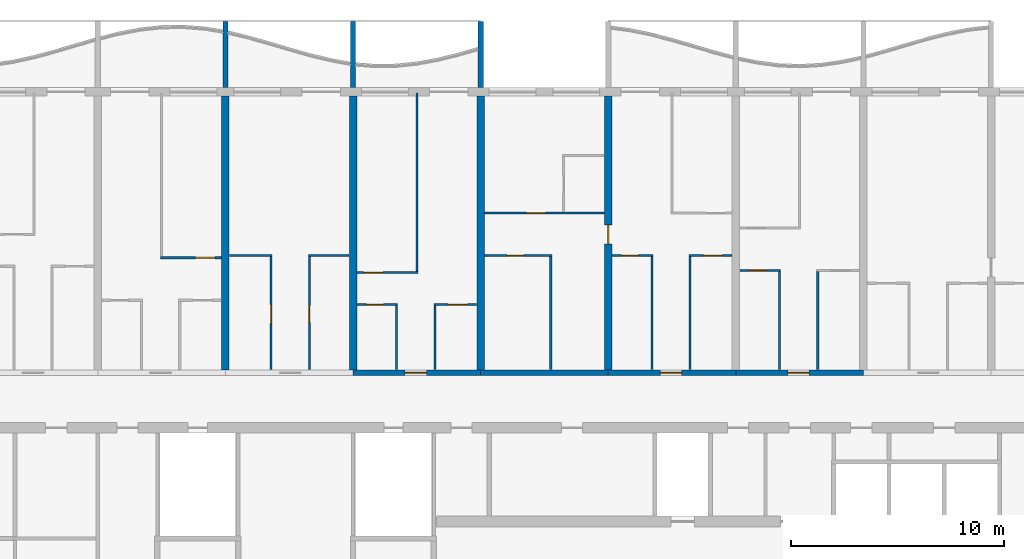
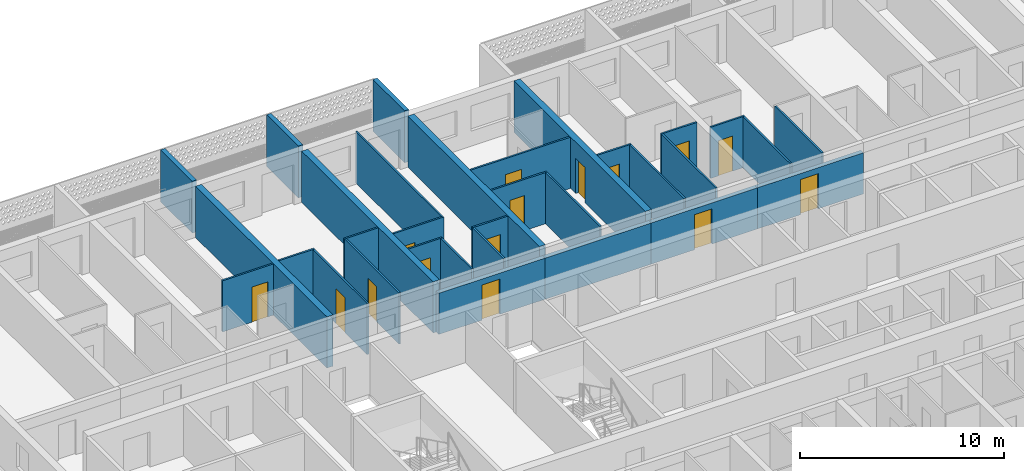
# One storey, part 10 of 27: 32 walls, 15 doors, 15 openings.
"""IFC4 building model written with IfcOpenShell, lengths in metres."""

from ifc_helpers import new_model, si_unit, direction, frame, frame_2d, origin, place, context, subcontext, project, spatial, polyline, rectangle, outline, extrude, source, transform, mapped, material, layer, layer_set, type_object, element, fill, save


model = new_model("IFC4")

# Units and contexts
model_context = context("Model", 3, precision=1e-05, world=origin(), true_north=direction((0.0, 1.0)))
body_context = subcontext(model_context, "Body", "Model", "MODEL_VIEW")
ifc_project = project(units=[si_unit("LENGTHUNIT", "METRE"), si_unit("AREAUNIT", "SQUARE_METRE"), si_unit("VOLUMEUNIT", "CUBIC_METRE"), si_unit("PLANEANGLEUNIT", "RADIAN"), si_unit("MASSUNIT", "GRAM", prefix="KILO")], contexts=[model_context])

# Site, building, storey
site_placement = place(None, origin())
site = spatial("IfcSite", under=ifc_project, at=site_placement, CompositionType="ELEMENT")
building_placement = place(site_placement, origin())
building = spatial("IfcBuilding", under=site, at=building_placement, Name="Poui Terraces", CompositionType="ELEMENT")
storey_placement = place(building_placement, frame((0.0, 0.0, 76.199951171875)))
storey = spatial("IfcBuildingStorey", under=building, at=storey_placement, Name="L20", CompositionType="ELEMENT", Elevation=76.199951171875)

# Wall, opening, door
ifc_material_1 = material(Name="Concrete 65 MPa", Category="concrete")
ifc_layer_1 = layer(ifc_material_1, 0.25)
ifc_layer_set_1 = layer_set([ifc_layer_1], Name="Concrete 65 MPa")
wall_type_1 = type_object("IfcWallType", Name="CORRIDOR WALL 250 65MPa", PredefinedType="SHEAR", material=ifc_layer_set_1)
wall_1_placement = place(storey_placement, frame((30.0, 30.39990234375, 0.0), z_axis=(0.0, 0.0, 1.0), x_axis=(1.0, 0.0, 0.0)))
wall_1 = element("IfcWall", 1, at=wall_1_placement, inside=storey, type_object=wall_type_1, Name="CORRIDOR WALL LINE E BAY 5", PredefinedType="SHEAR", context=body_context, shape_type="SweptSolid", body=[
    extrude(rectangle(XDim=6.0, YDim=0.25, at=frame_2d((3.0, 0.0))), origin(), (0.0, 0.0, 1.0), 2.4599609375),
])
opening_1_placement = place(wall_1_placement, frame((2.449951171875, 0.0, 0.0)))
opening_1 = element("IfcOpeningElement", 2, at=opening_1_placement, cuts=wall_1, Name="Opening FD30S", PredefinedType="OPENING", context=body_context, shape_type="SweptSolid", body=[
    extrude(rectangle(XDim=1.0, YDim=2.10009765625, at=frame_2d((0.5, 1.050048828125))), frame((0.0, 0.135009765625, 0.0), z_axis=(0.0, -1.0, 0.0), x_axis=(1.0, 0.0, 0.0)), (0.0, 0.0, 1.0), 0.27001953125),
])
ifc_material_2 = material(Name="Steel fire door", Category="steel")
door_type_1 = type_object("IfcDoorType", Name="FLAT ENTRANCE DOOR 1000 X 2100", OperationType="NOTDEFINED", PredefinedType="DOOR", material=ifc_material_2)
door_1_placement = place(opening_1_placement, origin())
door_1 = element("IfcDoor", 3, at=door_1_placement, inside=storey, type_object=door_type_1, Name="FLAT ENTRANCE DOOR 047", OperationType="SINGLE_SWING_LEFT", OverallHeight=2.10009765625, OverallWidth=1.0, PredefinedType="DOOR", context=body_context, shape_type="SweptSolid", body=[
    extrude(rectangle(XDim=1.0, YDim=2.10009765625, at=frame_2d((0.5, 1.050048828125))), frame((0.0, 0.02490234375, 0.0), z_axis=(0.0, -1.0, 0.0), x_axis=(1.0, 0.0, 0.0)), (0.0, 0.0, 1.0), 0.050048828125),
])
fill(opening_1, door_1)

# Wall
wall_2_placement = place(storey_placement, frame((36.0, 30.39990234375, 0.0), z_axis=(0.0, 0.0, 1.0), x_axis=(1.0, 0.0, 0.0)))
element("IfcWall", 4, at=wall_2_placement, inside=storey, type_object=wall_type_1, Name="CORRIDOR WALL LINE E BAY 6", PredefinedType="SHEAR", context=body_context, shape_type="SweptSolid", body=[
    extrude(rectangle(XDim=6.0, YDim=0.25, at=frame_2d((3.0, 0.0))), origin(), (0.0, 0.0, 1.0), 2.4599609375),
])

# Wall, opening, door
wall_3_placement = place(storey_placement, frame((42.0, 30.39990234375, 0.0), z_axis=(0.0, 0.0, 1.0), x_axis=(1.0, 0.0, 0.0)))
wall_3 = element("IfcWall", 5, at=wall_3_placement, inside=storey, type_object=wall_type_1, Name="CORRIDOR WALL LINE E BAY 7", PredefinedType="SHEAR", context=body_context, shape_type="SweptSolid", body=[
    extrude(rectangle(XDim=6.0, YDim=0.25, at=frame_2d((3.0, 0.0))), origin(), (0.0, 0.0, 1.0), 2.4599609375),
])
opening_2_placement = place(wall_3_placement, frame((2.449951171875, 0.0, 0.0)))
opening_2 = element("IfcOpeningElement", 6, at=opening_2_placement, cuts=wall_3, Name="Opening FD30S", PredefinedType="OPENING", context=body_context, shape_type="SweptSolid", body=[
    extrude(rectangle(XDim=1.0, YDim=2.10009765625, at=frame_2d((0.5, 1.050048828125))), frame((0.0, 0.135009765625, 0.0), z_axis=(0.0, -1.0, 0.0), x_axis=(1.0, 0.0, 0.0)), (0.0, 0.0, 1.0), 0.27001953125),
])
door_2_placement = place(opening_2_placement, origin())
door_2 = element("IfcDoor", 7, at=door_2_placement, inside=storey, type_object=door_type_1, Name="FLAT ENTRANCE DOOR 053", OperationType="SINGLE_SWING_LEFT", OverallHeight=2.10009765625, OverallWidth=1.0, PredefinedType="DOOR", context=body_context, shape_type="SweptSolid", body=[
    extrude(rectangle(XDim=1.0, YDim=2.10009765625, at=frame_2d((0.5, 1.050048828125))), frame((0.0, 0.02490234375, 0.0), z_axis=(0.0, -1.0, 0.0), x_axis=(1.0, 0.0, 0.0)), (0.0, 0.0, 1.0), 0.050048828125),
])
fill(opening_2, door_2)

wall_4_placement = place(storey_placement, frame((48.0, 30.39990234375, 0.0), z_axis=(0.0, 0.0, 1.0), x_axis=(1.0, 0.0, 0.0)))
wall_4 = element("IfcWall", 8, at=wall_4_placement, inside=storey, type_object=wall_type_1, Name="CORRIDOR WALL LINE E BAY 8", PredefinedType="SHEAR", context=body_context, shape_type="SweptSolid", body=[
    extrude(rectangle(XDim=6.0, YDim=0.25, at=frame_2d((3.0, 0.0))), origin(), (0.0, 0.0, 1.0), 2.4599609375),
])
opening_3_placement = place(wall_4_placement, frame((2.449951171875, 0.0, 0.0)))
opening_3 = element("IfcOpeningElement", 9, at=opening_3_placement, cuts=wall_4, Name="Opening FD30S", PredefinedType="OPENING", context=body_context, shape_type="SweptSolid", body=[
    extrude(rectangle(XDim=1.0, YDim=2.10009765625, at=frame_2d((0.5, 1.050048828125))), frame((0.0, 0.135009765625, 0.0), z_axis=(0.0, -1.0, 0.0), x_axis=(1.0, 0.0, 0.0)), (0.0, 0.0, 1.0), 0.27001953125),
])
door_3_placement = place(opening_3_placement, origin())
door_3 = element("IfcDoor", 10, at=door_3_placement, inside=storey, type_object=door_type_1, Name="FLAT ENTRANCE DOOR 059", OperationType="SINGLE_SWING_LEFT", OverallHeight=2.10009765625, OverallWidth=1.0, PredefinedType="DOOR", context=body_context, shape_type="SweptSolid", body=[
    extrude(rectangle(XDim=1.0, YDim=2.10009765625, at=frame_2d((0.5, 1.050048828125))), frame((0.0, 0.02490234375, 0.0), z_axis=(0.0, -1.0, 0.0), x_axis=(1.0, 0.0, 0.0)), (0.0, 0.0, 1.0), 0.050048828125),
])
fill(opening_3, door_3)

# Walls
ifc_layer_2 = layer(ifc_material_1, 0.35009765625)
ifc_layer_set_2 = layer_set([ifc_layer_2], Name="Concrete 65 MPa")
wall_type_2 = type_object("IfcWallType", Name="CROSS WALL 350 65MPa", PredefinedType="SHEAR", material=ifc_layer_set_2)
for number, where, z_axis, x_axis, name in (
    (11, (24.0, 30.52490234375, 0.0), (0.0, 0.0, 1.0), (0.0, 1.0, 0.0), "CROSS WALL LINE 5 NORTH"),
    (12, (30.0, 30.52490234375, 0.0), (0.0, 0.0, 1.0), (0.0, 1.0, 0.0), "CROSS WALL LINE 6 NORTH"),
    (13, (36.0, 30.52490234375, 0.0), (0.0, 0.0, 1.0), (0.0, 1.0, 0.0), "CROSS WALL LINE 7 NORTH"),
):
    element("IfcWall", number, at=place(storey_placement, frame(where, z_axis=z_axis, x_axis=x_axis)), inside=storey, type_object=wall_type_2, Name=name, PredefinedType="SHEAR", context=body_context, shape_type="SweptSolid", body=[
        extrude(rectangle(XDim=12.875, YDim=0.35009765625, at=frame_2d((6.4375, 0.0))), origin(), (0.0, 0.0, 1.0), 3.06005859375),
    ])

# Wall, opening, door
wall_5_placement = place(storey_placement, frame((42.0, 30.52490234375, 0.0), z_axis=(0.0, 0.0, 1.0), x_axis=(0.0, 1.0, 0.0)))
wall_5 = element("IfcWall", 14, at=wall_5_placement, inside=storey, type_object=wall_type_2, Name="CROSS WALL LINE 8 NORTH", PredefinedType="SHEAR", context=body_context, shape_type="SweptSolid", body=[
    extrude(rectangle(XDim=12.875, YDim=0.35009765625, at=frame_2d((6.4375, 0.0))), origin(), (0.0, 0.0, 1.0), 3.06005859375),
])
opening_4_placement = place(wall_5_placement, frame((5.925048828125, 0.0, 0.0)))
opening_4 = element("IfcOpeningElement", 15, at=opening_4_placement, cuts=wall_5, Name="Opening D90", PredefinedType="OPENING", context=body_context, shape_type="SweptSolid", body=[
    extrude(rectangle(XDim=0.89990234375, YDim=2.10009765625, at=frame_2d((0.449951171875, 1.050048828125))), frame((0.0, 0.18505859375, 0.0), z_axis=(0.0, -1.0, 0.0), x_axis=(1.0, 0.0, 0.0)), (0.0, 0.0, 1.0), 0.3701171875),
])
ifc_material_3 = material(Name="Solid core timber door", Category="wood")
door_type_2 = type_object("IfcDoorType", Name="INTERNAL DOOR 900 X 2100", OperationType="NOTDEFINED", PredefinedType="DOOR", material=ifc_material_3)
door_4_placement = place(opening_4_placement, frame((0.89990234375, 0.0, 0.0), z_axis=(0.0, 0.0, 1.0), x_axis=(-1.0, 0.0, 0.0)))
door_4 = element("IfcDoor", 16, at=door_4_placement, inside=storey, type_object=door_type_2, Name="INTERNAL DOOR 051", OperationType="SINGLE_SWING_RIGHT", OverallHeight=2.10009765625, OverallWidth=0.89990234375, PredefinedType="DOOR", context=body_context, shape_type="SweptSolid", body=[
    extrude(rectangle(XDim=0.89990234375, YDim=2.10009765625, at=frame_2d((0.449951171875, 1.050048828125))), frame((0.0, 0.02490234375, 0.0), z_axis=(0.0, -1.0, 0.0), x_axis=(1.0, 0.0, 0.0)), (0.0, 0.0, 1.0), 0.050048828125),
])
fill(opening_4, door_4)

ifc_material_4 = material(Name="Plasterboard partition")
ifc_layer_3 = layer(ifc_material_4, 0.10009765625)
ifc_layer_set_3 = layer_set([ifc_layer_3], Name="Plasterboard partition")
wall_type_3 = type_object("IfcWallType", Name="FLAT PARTITION 100", PredefinedType="PARTITIONING", material=ifc_layer_set_3)
wall_6_placement = place(storey_placement, frame((30.18505859375, 33.60009765625, 0.0), z_axis=(0.0, 0.0, 1.0), x_axis=(1.0, 0.0, 0.0)))
wall_6 = element("IfcWall", 17, at=wall_6_placement, inside=storey, type_object=wall_type_3, Name="FLAT PARTITION 100", PredefinedType="PARTITIONING", context=body_context, shape_type="SweptSolid", body=[
    extrude(rectangle(XDim=1.9150390625, YDim=0.10009765625, at=frame_2d((0.95751953125, 0.0))), origin(), (0.0, 0.0, 1.0), 3.06005859375),
])
opening_5_placement = place(wall_6_placement, frame((0.43994140625, 0.0, 0.0)))
opening_5 = element("IfcOpeningElement", 18, at=opening_5_placement, cuts=wall_6, Name="Opening D80", PredefinedType="OPENING", context=body_context, shape_type="SweptSolid", body=[
    extrude(rectangle(XDim=0.800048828125, YDim=2.10009765625, at=frame_2d((0.39990234375, 1.050048828125))), frame((0.0, 0.06005859375, 0.0), z_axis=(0.0, -1.0, 0.0), x_axis=(1.0, 0.0, 0.0)), (0.0, 0.0, 1.0), 0.1201171875),
])
door_type_3 = type_object("IfcDoorType", Name="BATHROOM, LAUNDRY AND STORE DOOR 800 X 2100", OperationType="NOTDEFINED", PredefinedType="DOOR", material=ifc_material_3)
door_5_placement = place(opening_5_placement, frame((0.800048828125, 0.0, 0.0), z_axis=(0.0, 0.0, 1.0), x_axis=(-1.0, 0.0, 0.0)))
door_5 = element("IfcDoor", 19, at=door_5_placement, inside=storey, type_object=door_type_3, Name="BATHROOM, LAUNDRY AND STORE DOOR 046", OperationType="SINGLE_SWING_RIGHT", OverallHeight=2.10009765625, OverallWidth=0.800048828125, PredefinedType="DOOR", context=body_context, shape_type="SweptSolid", body=[
    extrude(rectangle(XDim=0.800048828125, YDim=2.10009765625, at=frame_2d((0.39990234375, 1.050048828125))), frame((0.0, 0.02490234375, 0.0), z_axis=(0.0, -1.0, 0.0), x_axis=(1.0, 0.0, 0.0)), (0.0, 0.0, 1.0), 0.050048828125),
])
fill(opening_5, door_5)

wall_7_placement = place(storey_placement, frame((33.800048828125, 33.60009765625, 0.0), z_axis=(0.0, 0.0, 1.0), x_axis=(1.0, 0.0, 0.0)))
wall_7 = element("IfcWall", 20, at=wall_7_placement, inside=storey, type_object=wall_type_3, Name="FLAT PARTITION 100", PredefinedType="PARTITIONING", context=body_context, shape_type="SweptSolid", body=[
    extrude(rectangle(XDim=2.014892578125, YDim=0.10009765625, at=frame_2d((1.00732421875, 0.0))), origin(), (0.0, 0.0, 1.0), 3.06005859375),
])
opening_6_placement = place(wall_7_placement, frame((0.675048828125, 0.0, 0.0)))
opening_6 = element("IfcOpeningElement", 21, at=opening_6_placement, cuts=wall_7, Name="Opening D90", PredefinedType="OPENING", context=body_context, shape_type="SweptSolid", body=[
    extrude(rectangle(XDim=0.89990234375, YDim=2.10009765625, at=frame_2d((0.449951171875, 1.050048828125))), frame((0.0, 0.06005859375, 0.0), z_axis=(0.0, -1.0, 0.0), x_axis=(1.0, 0.0, 0.0)), (0.0, 0.0, 1.0), 0.1201171875),
])
door_6_placement = place(opening_6_placement, frame((0.89990234375, 0.0, 0.0), z_axis=(0.0, 0.0, 1.0), x_axis=(-1.0, 0.0, 0.0)))
door_6 = element("IfcDoor", 22, at=door_6_placement, inside=storey, type_object=door_type_2, Name="INTERNAL DOOR 048", OperationType="SINGLE_SWING_LEFT", OverallHeight=2.10009765625, OverallWidth=0.89990234375, PredefinedType="DOOR", context=body_context, shape_type="SweptSolid", body=[
    extrude(rectangle(XDim=0.89990234375, YDim=2.10009765625, at=frame_2d((0.449951171875, 1.050048828125))), frame((0.0, 0.02490234375, 0.0), z_axis=(0.0, -1.0, 0.0), x_axis=(1.0, 0.0, 0.0)), (0.0, 0.0, 1.0), 0.050048828125),
])
fill(opening_6, door_6)

wall_8_placement = place(storey_placement, frame((30.18505859375, 35.10009765625, 0.0), z_axis=(0.0, 0.0, 1.0), x_axis=(1.0, 0.0, 0.0)))
wall_8 = element("IfcWall", 23, at=wall_8_placement, inside=storey, type_object=wall_type_3, Name="FLAT PARTITION 100", PredefinedType="PARTITIONING", context=body_context, shape_type="SweptSolid", body=[
    extrude(rectangle(XDim=2.864990234375, YDim=0.10009765625, at=frame_2d((1.4326171875, 0.0))), origin(), (0.0, 0.0, 1.0), 3.06005859375),
])
opening_7_placement = place(wall_8_placement, frame((0.31494140625, 0.0, 0.0)))
opening_7 = element("IfcOpeningElement", 24, at=opening_7_placement, cuts=wall_8, Name="Opening D90", PredefinedType="OPENING", context=body_context, shape_type="SweptSolid", body=[
    extrude(rectangle(XDim=0.89990234375, YDim=2.10009765625, at=frame_2d((0.449951171875, 1.050048828125))), frame((0.0, 0.06005859375, 0.0), z_axis=(0.0, -1.0, 0.0), x_axis=(1.0, 0.0, 0.0)), (0.0, 0.0, 1.0), 0.1201171875),
])
door_7_placement = place(opening_7_placement, frame((0.89990234375, 0.0, 0.0), z_axis=(0.0, 0.0, 1.0), x_axis=(-1.0, 0.0, 0.0)))
door_7 = element("IfcDoor", 25, at=door_7_placement, inside=storey, type_object=door_type_2, Name="INTERNAL DOOR 045", OperationType="SINGLE_SWING_LEFT", OverallHeight=2.10009765625, OverallWidth=0.89990234375, PredefinedType="DOOR", context=body_context, shape_type="SweptSolid", body=[
    extrude(rectangle(XDim=0.89990234375, YDim=2.10009765625, at=frame_2d((0.449951171875, 1.050048828125))), frame((0.0, 0.02490234375, 0.0), z_axis=(0.0, -1.0, 0.0), x_axis=(1.0, 0.0, 0.0)), (0.0, 0.0, 1.0), 0.050048828125),
])
fill(opening_7, door_7)

wall_9_placement = place(storey_placement, frame((48.18505859375, 35.199951171875, 0.0), z_axis=(0.0, 0.0, 1.0), x_axis=(1.0, 0.0, 0.0)))
wall_9 = element("IfcWall", 26, at=wall_9_placement, inside=storey, type_object=wall_type_3, Name="FLAT PARTITION 100", PredefinedType="PARTITIONING", context=body_context, shape_type="SweptSolid", body=[
    extrude(rectangle(XDim=1.9150390625, YDim=0.10009765625, at=frame_2d((0.95751953125, 0.0))), origin(), (0.0, 0.0, 1.0), 3.06005859375),
])
opening_8_placement = place(wall_9_placement, frame((0.43994140625, 0.0, 0.0)))
opening_8 = element("IfcOpeningElement", 27, at=opening_8_placement, cuts=wall_9, Name="Opening D80", PredefinedType="OPENING", context=body_context, shape_type="SweptSolid", body=[
    extrude(rectangle(XDim=0.800048828125, YDim=2.10009765625, at=frame_2d((0.39990234375, 1.050048828125))), frame((0.0, 0.06005859375, 0.0), z_axis=(0.0, -1.0, 0.0), x_axis=(1.0, 0.0, 0.0)), (0.0, 0.0, 1.0), 0.1201171875),
])
door_8_placement = place(opening_8_placement, frame((0.800048828125, 0.0, 0.0), z_axis=(0.0, 0.0, 1.0), x_axis=(-1.0, 0.0, 0.0)))
door_8 = element("IfcDoor", 28, at=door_8_placement, inside=storey, type_object=door_type_3, Name="BATHROOM, LAUNDRY AND STORE DOOR 058", OperationType="SINGLE_SWING_RIGHT", OverallHeight=2.10009765625, OverallWidth=0.800048828125, PredefinedType="DOOR", context=body_context, shape_type="SweptSolid", body=[
    extrude(rectangle(XDim=0.800048828125, YDim=2.10009765625, at=frame_2d((0.39990234375, 1.050048828125))), frame((0.0, 0.02490234375, 0.0), z_axis=(0.0, -1.0, 0.0), x_axis=(1.0, 0.0, 0.0)), (0.0, 0.0, 1.0), 0.050048828125),
])
fill(opening_8, door_8)

wall_10_placement = place(storey_placement, frame((20.949951171875, 35.800048828125, 0.0), z_axis=(0.0, 0.0, 1.0), x_axis=(1.0, 0.0, 0.0)))
wall_10 = element("IfcWall", 29, at=wall_10_placement, inside=storey, type_object=wall_type_3, Name="FLAT PARTITION 100", PredefinedType="PARTITIONING", context=body_context, shape_type="SweptSolid", body=[
    extrude(rectangle(XDim=2.864990234375, YDim=0.10009765625, at=frame_2d((1.4326171875, 0.0))), origin(), (0.0, 0.0, 1.0), 3.06005859375),
])
opening_9_placement = place(wall_10_placement, frame((1.64990234375, 0.0, 0.0)))
opening_9 = element("IfcOpeningElement", 30, at=opening_9_placement, cuts=wall_10, Name="Opening D90", PredefinedType="OPENING", context=body_context, shape_type="SweptSolid", body=[
    extrude(rectangle(XDim=0.89990234375, YDim=2.10009765625, at=frame_2d((0.449951171875, 1.050048828125))), frame((0.0, 0.06005859375, 0.0), z_axis=(0.0, -1.0, 0.0), x_axis=(1.0, 0.0, 0.0)), (0.0, 0.0, 1.0), 0.1201171875),
])
door_9_placement = place(opening_9_placement, frame((0.89990234375, 0.0, 0.0), z_axis=(0.0, 0.0, 1.0), x_axis=(-1.0, 0.0, 0.0)))
door_9 = element("IfcDoor", 31, at=door_9_placement, inside=storey, type_object=door_type_2, Name="INTERNAL DOOR 041", OperationType="SINGLE_SWING_RIGHT", OverallHeight=2.10009765625, OverallWidth=0.89990234375, PredefinedType="DOOR", context=body_context, shape_type="SweptSolid", body=[
    extrude(rectangle(XDim=0.89990234375, YDim=2.10009765625, at=frame_2d((0.449951171875, 1.050048828125))), frame((0.0, 0.02490234375, 0.0), z_axis=(0.0, -1.0, 0.0), x_axis=(1.0, 0.0, 0.0)), (0.0, 0.0, 1.0), 0.050048828125),
])
fill(opening_9, door_9)

# Walls
wall_11_placement = place(storey_placement, frame((24.18505859375, 35.89990234375, 0.0), z_axis=(0.0, 0.0, 1.0), x_axis=(1.0, 0.0, 0.0)))
element("IfcWall", 32, at=wall_11_placement, inside=storey, type_object=wall_type_3, Name="FLAT PARTITION 100", PredefinedType="PARTITIONING", context=body_context, shape_type="SweptSolid", body=[
    extrude(rectangle(XDim=2.014892578125, YDim=0.10009765625, at=frame_2d((1.00732421875, 0.0))), origin(), (0.0, 0.0, 1.0), 3.06005859375),
])
wall_12_placement = place(storey_placement, frame((27.89990234375, 35.89990234375, 0.0), z_axis=(0.0, 0.0, 1.0), x_axis=(1.0, 0.0, 0.0)))
element("IfcWall", 33, at=wall_12_placement, inside=storey, type_object=wall_type_3, Name="FLAT PARTITION 100", PredefinedType="PARTITIONING", context=body_context, shape_type="SweptSolid", body=[
    extrude(rectangle(XDim=1.9150390625, YDim=0.10009765625, at=frame_2d((0.95751953125, 0.0))), origin(), (0.0, 0.0, 1.0), 3.06005859375),
])

# Wall, opening, door
wall_13_placement = place(storey_placement, frame((36.18505859375, 35.89990234375, 0.0), z_axis=(0.0, 0.0, 1.0), x_axis=(1.0, 0.0, 0.0)))
wall_13 = element("IfcWall", 34, at=wall_13_placement, inside=storey, type_object=wall_type_3, Name="FLAT PARTITION 100", PredefinedType="PARTITIONING", context=body_context, shape_type="SweptSolid", body=[
    extrude(rectangle(XDim=3.1650390625, YDim=0.10009765625, at=frame_2d((1.58251953125, 0.0))), origin(), (0.0, 0.0, 1.0), 3.06005859375),
])
opening_10_placement = place(wall_13_placement, frame((1.06494140625, 0.0, 0.0)))
opening_10 = element("IfcOpeningElement", 35, at=opening_10_placement, cuts=wall_13, Name="Opening D80", PredefinedType="OPENING", context=body_context, shape_type="SweptSolid", body=[
    extrude(rectangle(XDim=0.800048828125, YDim=2.10009765625, at=frame_2d((0.39990234375, 1.050048828125))), frame((0.0, 0.06005859375, 0.0), z_axis=(0.0, -1.0, 0.0), x_axis=(1.0, 0.0, 0.0)), (0.0, 0.0, 1.0), 0.1201171875),
])
door_10_placement = place(opening_10_placement, origin())
door_10 = element("IfcDoor", 36, at=door_10_placement, inside=storey, type_object=door_type_3, Name="BATHROOM, LAUNDRY AND STORE DOOR 049", OperationType="SINGLE_SWING_LEFT", OverallHeight=2.10009765625, OverallWidth=0.800048828125, PredefinedType="DOOR", context=body_context, shape_type="SweptSolid", body=[
    extrude(rectangle(XDim=0.800048828125, YDim=2.10009765625, at=frame_2d((0.39990234375, 1.050048828125))), frame((0.0, 0.02490234375, 0.0), z_axis=(0.0, -1.0, 0.0), x_axis=(1.0, 0.0, 0.0)), (0.0, 0.0, 1.0), 0.050048828125),
])
fill(opening_10, door_10)

wall_14_placement = place(storey_placement, frame((42.18505859375, 35.89990234375, 0.0), z_axis=(0.0, 0.0, 1.0), x_axis=(1.0, 0.0, 0.0)))
wall_14 = element("IfcWall", 37, at=wall_14_placement, inside=storey, type_object=wall_type_3, Name="FLAT PARTITION 100", PredefinedType="PARTITIONING", context=body_context, shape_type="SweptSolid", body=[
    extrude(rectangle(XDim=1.9150390625, YDim=0.10009765625, at=frame_2d((0.95751953125, 0.0))), origin(), (0.0, 0.0, 1.0), 3.06005859375),
])
opening_11_placement = place(wall_14_placement, frame((0.43994140625, 0.0, 0.0)))
opening_11 = element("IfcOpeningElement", 38, at=opening_11_placement, cuts=wall_14, Name="Opening D80", PredefinedType="OPENING", context=body_context, shape_type="SweptSolid", body=[
    extrude(rectangle(XDim=0.800048828125, YDim=2.10009765625, at=frame_2d((0.39990234375, 1.050048828125))), frame((0.0, 0.06005859375, 0.0), z_axis=(0.0, -1.0, 0.0), x_axis=(1.0, 0.0, 0.0)), (0.0, 0.0, 1.0), 0.1201171875),
])
door_11_placement = place(opening_11_placement, frame((0.800048828125, 0.0, 0.0), z_axis=(0.0, 0.0, 1.0), x_axis=(-1.0, 0.0, 0.0)))
door_11 = element("IfcDoor", 39, at=door_11_placement, inside=storey, type_object=door_type_3, Name="BATHROOM, LAUNDRY AND STORE DOOR 052", OperationType="SINGLE_SWING_RIGHT", OverallHeight=2.10009765625, OverallWidth=0.800048828125, PredefinedType="DOOR", context=body_context, shape_type="SweptSolid", body=[
    extrude(rectangle(XDim=0.800048828125, YDim=2.10009765625, at=frame_2d((0.39990234375, 1.050048828125))), frame((0.0, 0.02490234375, 0.0), z_axis=(0.0, -1.0, 0.0), x_axis=(1.0, 0.0, 0.0)), (0.0, 0.0, 1.0), 0.050048828125),
])
fill(opening_11, door_11)

wall_15_placement = place(storey_placement, frame((45.800048828125, 35.89990234375, 0.0), z_axis=(0.0, 0.0, 1.0), x_axis=(1.0, 0.0, 0.0)))
wall_15 = element("IfcWall", 40, at=wall_15_placement, inside=storey, type_object=wall_type_3, Name="FLAT PARTITION 100", PredefinedType="PARTITIONING", context=body_context, shape_type="SweptSolid", body=[
    extrude(rectangle(XDim=2.014892578125, YDim=0.10009765625, at=frame_2d((1.00732421875, 0.0))), origin(), (0.0, 0.0, 1.0), 3.06005859375),
])
opening_12_placement = place(wall_15_placement, frame((0.675048828125, 0.0, 0.0)))
opening_12 = element("IfcOpeningElement", 41, at=opening_12_placement, cuts=wall_15, Name="Opening D90", PredefinedType="OPENING", context=body_context, shape_type="SweptSolid", body=[
    extrude(rectangle(XDim=0.89990234375, YDim=2.10009765625, at=frame_2d((0.449951171875, 1.050048828125))), frame((0.0, 0.06005859375, 0.0), z_axis=(0.0, -1.0, 0.0), x_axis=(1.0, 0.0, 0.0)), (0.0, 0.0, 1.0), 0.1201171875),
])
door_12_placement = place(opening_12_placement, frame((0.89990234375, 0.0, 0.0), z_axis=(0.0, 0.0, 1.0), x_axis=(-1.0, 0.0, 0.0)))
door_12 = element("IfcDoor", 42, at=door_12_placement, inside=storey, type_object=door_type_2, Name="INTERNAL DOOR 054", OperationType="SINGLE_SWING_LEFT", OverallHeight=2.10009765625, OverallWidth=0.89990234375, PredefinedType="DOOR", context=body_context, shape_type="SweptSolid", body=[
    extrude(rectangle(XDim=0.89990234375, YDim=2.10009765625, at=frame_2d((0.449951171875, 1.050048828125))), frame((0.0, 0.02490234375, 0.0), z_axis=(0.0, -1.0, 0.0), x_axis=(1.0, 0.0, 0.0)), (0.0, 0.0, 1.0), 0.050048828125),
])
fill(opening_12, door_12)

wall_16_placement = place(storey_placement, frame((36.18505859375, 37.89990234375, 0.0), z_axis=(0.0, 0.0, 1.0), x_axis=(1.0, 0.0, 0.0)))
wall_16 = element("IfcWall", 43, at=wall_16_placement, inside=storey, type_object=wall_type_3, Name="FLAT PARTITION 100", PredefinedType="PARTITIONING", context=body_context, shape_type="SweptSolid", body=[
    extrude(rectangle(XDim=5.6298828125, YDim=0.10009765625, at=frame_2d((2.81494140625, 0.0))), origin(), (0.0, 0.0, 1.0), 3.06005859375),
])
opening_13_placement = place(wall_16_placement, frame((1.965087890625, 0.0, 0.0)))
opening_13 = element("IfcOpeningElement", 44, at=opening_13_placement, cuts=wall_16, Name="Opening D90", PredefinedType="OPENING", context=body_context, shape_type="SweptSolid", body=[
    extrude(rectangle(XDim=0.89990234375, YDim=2.10009765625, at=frame_2d((0.449951171875, 1.050048828125))), frame((0.0, 0.06005859375, 0.0), z_axis=(0.0, -1.0, 0.0), x_axis=(1.0, 0.0, 0.0)), (0.0, 0.0, 1.0), 0.1201171875),
])
door_13_placement = place(opening_13_placement, origin())
door_13 = element("IfcDoor", 45, at=door_13_placement, inside=storey, type_object=door_type_2, Name="INTERNAL DOOR 050", OperationType="SINGLE_SWING_LEFT", OverallHeight=2.10009765625, OverallWidth=0.89990234375, PredefinedType="DOOR", context=body_context, shape_type="SweptSolid", body=[
    extrude(rectangle(XDim=0.89990234375, YDim=2.10009765625, at=frame_2d((0.449951171875, 1.050048828125))), frame((0.0, 0.02490234375, 0.0), z_axis=(0.0, -1.0, 0.0), x_axis=(1.0, 0.0, 0.0)), (0.0, 0.0, 1.0), 0.050048828125),
])
fill(opening_13, door_13)

wall_17_placement = place(storey_placement, frame((26.14990234375, 30.534912109375, 0.0), z_axis=(0.0, 0.0, 1.0), x_axis=(0.0, 1.0, 0.0)))
wall_17 = element("IfcWall", 46, at=wall_17_placement, inside=storey, type_object=wall_type_3, Name="FLAT PARTITION 100", PredefinedType="PARTITIONING", context=body_context, shape_type="SweptSolid", body=[
    extrude(rectangle(XDim=5.315185546875, YDim=0.10009765625, at=frame_2d((2.65771484375, 0.0))), origin(), (0.0, 0.0, 1.0), 3.06005859375),
])
opening_14_placement = place(wall_17_placement, frame((2.1650390625, 0.0, 0.0)))
opening_14 = element("IfcOpeningElement", 47, at=opening_14_placement, cuts=wall_17, Name="Opening D90", PredefinedType="OPENING", context=body_context, shape_type="SweptSolid", body=[
    extrude(rectangle(XDim=0.89990234375, YDim=2.10009765625, at=frame_2d((0.449951171875, 1.050048828125))), frame((0.0, 0.06005859375, 0.0), z_axis=(0.0, -1.0, 0.0), x_axis=(1.0, 0.0, 0.0)), (0.0, 0.0, 1.0), 0.1201171875),
])
door_14_placement = place(opening_14_placement, origin())
door_14 = element("IfcDoor", 48, at=door_14_placement, inside=storey, type_object=door_type_2, Name="INTERNAL DOOR 042", OperationType="SINGLE_SWING_LEFT", OverallHeight=2.10009765625, OverallWidth=0.89990234375, PredefinedType="DOOR", context=body_context, shape_type="SweptSolid", body=[
    extrude(rectangle(XDim=0.89990234375, YDim=2.10009765625, at=frame_2d((0.449951171875, 1.050048828125))), frame((0.0, 0.02490234375, 0.0), z_axis=(0.0, -1.0, 0.0), x_axis=(1.0, 0.0, 0.0)), (0.0, 0.0, 1.0), 0.050048828125),
])
fill(opening_14, door_14)

wall_18_placement = place(storey_placement, frame((27.949951171875, 30.534912109375, 0.0), z_axis=(0.0, 0.0, 1.0), x_axis=(0.0, 1.0, 0.0)))
wall_18 = element("IfcWall", 49, at=wall_18_placement, inside=storey, type_object=wall_type_3, Name="FLAT PARTITION 100", PredefinedType="PARTITIONING", context=body_context, shape_type="SweptSolid", body=[
    extrude(rectangle(XDim=5.315185546875, YDim=0.10009765625, at=frame_2d((2.65771484375, 0.0))), origin(), (0.0, 0.0, 1.0), 3.06005859375),
])
opening_15_placement = place(wall_18_placement, frame((2.215087890625, 0.0, 0.0)))
opening_15 = element("IfcOpeningElement", 50, at=opening_15_placement, cuts=wall_18, Name="Opening D80", PredefinedType="OPENING", context=body_context, shape_type="SweptSolid", body=[
    extrude(rectangle(XDim=0.800048828125, YDim=2.10009765625, at=frame_2d((0.39990234375, 1.050048828125))), frame((0.0, 0.06005859375, 0.0), z_axis=(0.0, -1.0, 0.0), x_axis=(1.0, 0.0, 0.0)), (0.0, 0.0, 1.0), 0.1201171875),
])
door_15_placement = place(opening_15_placement, frame((0.800048828125, 0.0, 0.0), z_axis=(0.0, 0.0, 1.0), x_axis=(-1.0, 0.0, 0.0)))
door_15 = element("IfcDoor", 51, at=door_15_placement, inside=storey, type_object=door_type_3, Name="BATHROOM, LAUNDRY AND STORE DOOR 044", OperationType="SINGLE_SWING_LEFT", OverallHeight=2.10009765625, OverallWidth=0.800048828125, PredefinedType="DOOR", context=body_context, shape_type="SweptSolid", body=[
    extrude(rectangle(XDim=0.800048828125, YDim=2.10009765625, at=frame_2d((0.39990234375, 1.050048828125))), frame((0.0, 0.02490234375, 0.0), z_axis=(0.0, -1.0, 0.0), x_axis=(1.0, 0.0, 0.0)), (0.0, 0.0, 1.0), 0.050048828125),
])
fill(opening_15, door_15)

# Walls
wall_19_placement = place(storey_placement, frame((32.050048828125, 30.534912109375, 0.0), z_axis=(0.0, 0.0, 1.0), x_axis=(0.0, 1.0, 0.0)))
element("IfcWall", 52, at=wall_19_placement, inside=storey, type_object=wall_type_3, Name="FLAT PARTITION 100", PredefinedType="PARTITIONING", context=body_context, shape_type="SweptSolid", body=[
    extrude(rectangle(XDim=3.01513671875, YDim=0.10009765625, at=frame_2d((1.507568359375, 0.0))), origin(), (0.0, 0.0, 1.0), 3.06005859375),
])
wall_20_placement = place(storey_placement, frame((33.0, 35.14990234375, 0.0), z_axis=(0.0, 0.0, 1.0), x_axis=(0.0, 1.0, 0.0)))
element("IfcWall", 53, at=wall_20_placement, inside=storey, type_object=wall_type_3, Name="FLAT PARTITION 100", PredefinedType="PARTITIONING", context=body_context, shape_type="SweptSolid", body=[
    extrude(rectangle(XDim=8.39013671875, YDim=0.10009765625, at=frame_2d((4.195068359375, 0.0))), origin(), (0.0, 0.0, 1.0), 3.06005859375),
])
wall_21_placement = place(storey_placement, frame((33.85009765625, 30.534912109375, 0.0), z_axis=(0.0, 0.0, 1.0), x_axis=(0.0, 1.0, 0.0)))
element("IfcWall", 54, at=wall_21_placement, inside=storey, type_object=wall_type_3, Name="FLAT PARTITION 100", PredefinedType="PARTITIONING", context=body_context, shape_type="SweptSolid", body=[
    extrude(rectangle(XDim=3.01513671875, YDim=0.10009765625, at=frame_2d((1.507568359375, 0.0))), origin(), (0.0, 0.0, 1.0), 3.06005859375),
])
for number, where, z_axis, x_axis, name in (
    (55, (39.300048828125, 30.534912109375, 0.0), (0.0, 0.0, 1.0), (0.0, 1.0, 0.0), "FLAT PARTITION 100"),
    (56, (44.050048828125, 30.534912109375, 0.0), (0.0, 0.0, 1.0), (0.0, 1.0, 0.0), "FLAT PARTITION 100"),
    (57, (45.85009765625, 30.534912109375, 0.0), (0.0, 0.0, 1.0), (0.0, 1.0, 0.0), "FLAT PARTITION 100"),
):
    element("IfcWall", number, at=place(storey_placement, frame(where, z_axis=z_axis, x_axis=x_axis)), inside=storey, type_object=wall_type_3, Name=name, PredefinedType="PARTITIONING", context=body_context, shape_type="SweptSolid", body=[
        extrude(rectangle(XDim=5.315185546875, YDim=0.10009765625, at=frame_2d((2.65771484375, 0.0))), origin(), (0.0, 0.0, 1.0), 3.06005859375),
    ])
for number, where, z_axis, x_axis, name in (
    (58, (50.050048828125, 30.534912109375, 0.0), (0.0, 0.0, 1.0), (0.0, 1.0, 0.0), "FLAT PARTITION 100"),
    (59, (51.85009765625, 30.534912109375, 0.0), (0.0, 0.0, 1.0), (0.0, 1.0, 0.0), "FLAT PARTITION 100"),
):
    element("IfcWall", number, at=place(storey_placement, frame(where, z_axis=z_axis, x_axis=x_axis)), inside=storey, type_object=wall_type_3, Name=name, PredefinedType="PARTITIONING", context=body_context, shape_type="SweptSolid", body=[
        extrude(rectangle(XDim=4.614990234375, YDim=0.10009765625, at=frame_2d((2.3076171875, 0.0))), origin(), (0.0, 0.0, 1.0), 3.06005859375),
    ])
ifc_material_5 = material(Name="Precast concrete 40 MPa", Category="concrete")
ifc_layer_4 = layer(ifc_material_5, 0.25)
ifc_layer_set_4 = layer_set([ifc_layer_4], Name="Precast concrete 40 MPa")
wall_type_4 = type_object("IfcWallType", Name="BALCONY FIN 250", PredefinedType="STANDARD", material=ifc_layer_set_4)
shared_shape = source(origin(), body_context, "Body", "SweptSolid", [
    extrude(outline(polyline([(0.0, 0.0), (0.25, 0.0), (0.25, 3.099853515625), (0.0, 3.099853515625), (0.0, 0.0)])), origin(), (0.0, 0.0, 1.0), 3.10009765625),
])
for number, where, name in (
    (60, (23.875, 43.800048828125, 0.0), "BALCONY FIN"),
    (61, (29.875, 43.800048828125, 0.0), "BALCONY FIN"),
    (62, (35.875, 43.800048828125, 0.0), "BALCONY FIN"),
):
    element("IfcWall", number, at=place(storey_placement, frame(where)), inside=storey, type_object=wall_type_4, Name=name, PredefinedType="STANDARD", context=body_context, shape_type="MappedRepresentation", body=[
        mapped(shared_shape, transform((0.0, 0.0, 0.0))),
    ])

save(model, "model.ifc")
